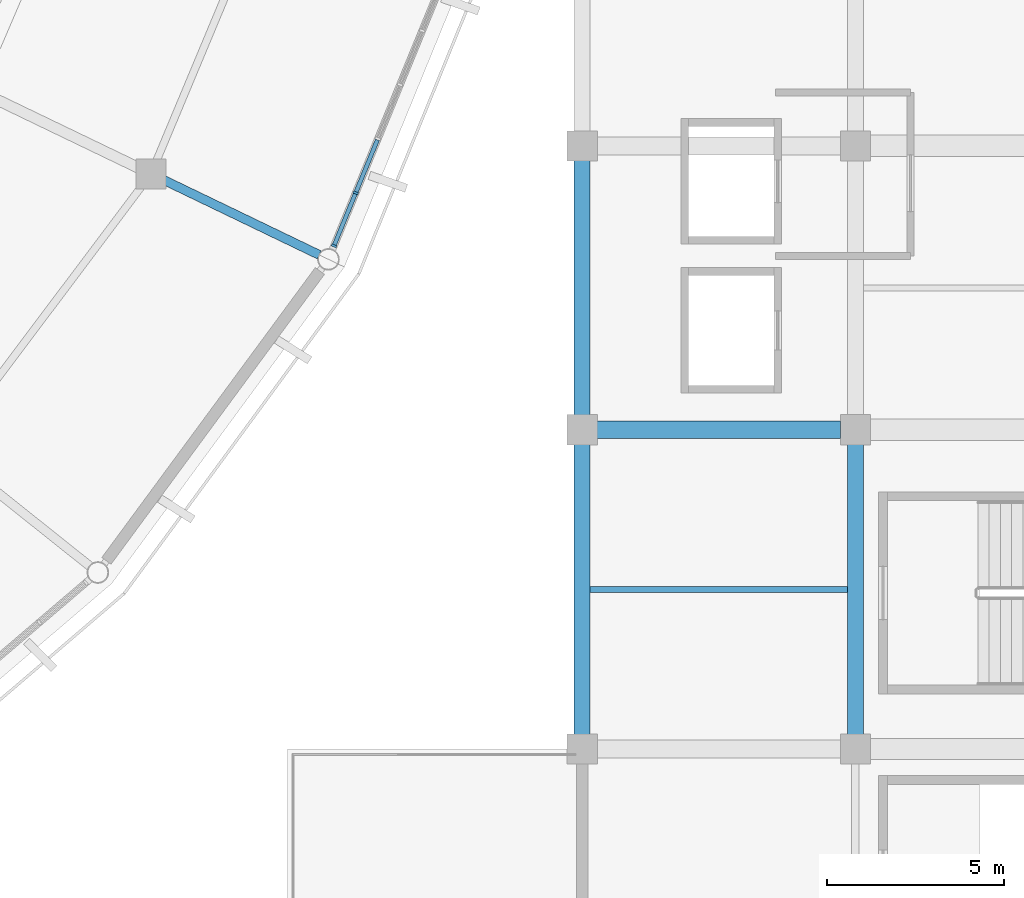
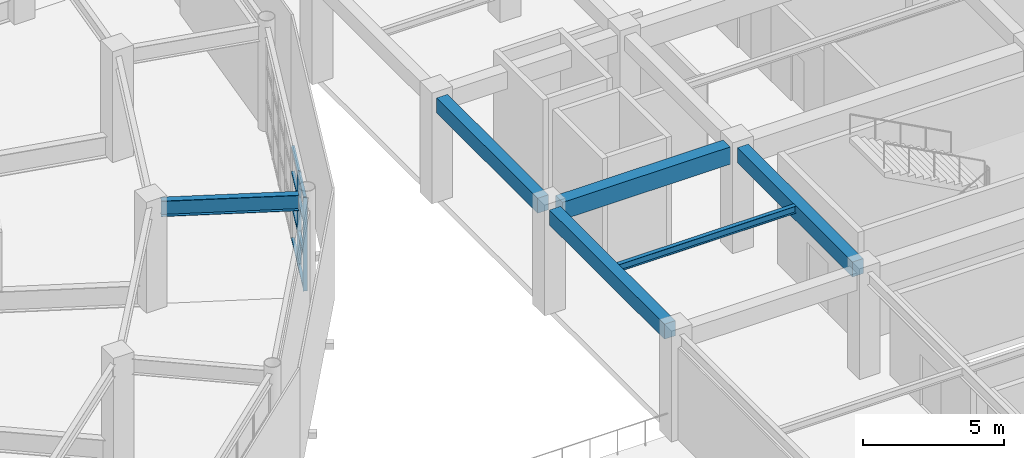
# One storey, part 64 of 122: 10 members, 6 beams, 1 element without a shape of its own.
"""IFC4 building model written with IfcOpenShell, lengths in metres."""

from ifc_helpers import new_model, si_unit, direction, frame, origin, origin_2d, place, context, subcontext, project, spatial, rectangle, i_section, extrude, material, material_profile, profile_set, type_object, element, aggregate, save


model = new_model("IFC4")

# Units and contexts
model_context = context("Model", 3, precision=1e-05, world=origin(), true_north=direction((0.0, 1.0)))
body_context = subcontext(model_context, "Body", "Model", "MODEL_VIEW")
ifc_project = project(units=[si_unit("LENGTHUNIT", "METRE"), si_unit("AREAUNIT", "SQUARE_METRE"), si_unit("VOLUMEUNIT", "CUBIC_METRE"), si_unit("PLANEANGLEUNIT", "RADIAN"), si_unit("MASSUNIT", "GRAM", prefix="KILO")], contexts=[model_context])

# Site, building, storey
site_placement = place(None, origin())
site = spatial("IfcSite", under=ifc_project, at=site_placement, CompositionType="ELEMENT")
building_placement = place(site_placement, origin())
building = spatial("IfcBuilding", under=site, at=building_placement, Name="Cuetzalor Civic Arena", CompositionType="ELEMENT")
storey_placement = place(building_placement, frame((0.0, 0.0, 16.199951171875)))
storey = spatial("IfcBuildingStorey", under=building, at=storey_placement, Name="L03", CompositionType="ELEMENT", Elevation=16.199951171875)

# Beams
ifc_material_1 = material(Name="Concrete C40/50", Category="concrete")
ifc_material_profile_1 = material_profile(ifc_material_1, rectangle(XDim=0.5, YDim=0.75, at=origin_2d()), Name="RC 500x750")
ifc_profile_set_1 = profile_set([ifc_material_profile_1], Name="Concrete C40/50")
beam_type_1 = type_object("IfcBeamType", Name="ConcreteFrameBeam_500x750", PredefinedType="BEAM", material=ifc_profile_set_1)
beam_1_placement = place(storey_placement, frame((56.715087890625, -25.0, 4.14501953125), z_axis=(1.0, 0.0, 0.0), x_axis=(0.0, 1.0, 0.0)))
element("IfcBeam", 1, at=beam_1_placement, inside=storey, type_object=beam_type_1, Name="Frame Girder V4E-L03-X0965", PredefinedType="BEAM", context=body_context, shape_type="SweptSolid", body=[
    extrude(rectangle(XDim=0.5, YDim=0.75, at=origin_2d()), origin(), (0.0, 0.0, 1.0), 6.869873046875),
])
ifc_material_2 = material(Name="Concrete C40/50", Category="concrete")
ifc_material_profile_2 = material_profile(ifc_material_2, rectangle(XDim=0.449951171875, YDim=0.64990234375, at=origin_2d()), Name="RC 450x650")
ifc_profile_set_2 = profile_set([ifc_material_profile_2], Name="Concrete C40/50")
beam_type_2 = type_object("IfcBeamType", Name="ConcreteTieBeam_450x650", PredefinedType="BEAM", material=ifc_profile_set_2)
beam_2_placement = place(storey_placement, frame((56.300048828125, -33.5849609375, 4.195068359375), z_axis=(0.0, 1.0, 0.0), x_axis=(-1.0, 0.0, 0.0)))
element("IfcBeam", 2, at=beam_2_placement, inside=storey, type_object=beam_type_2, Name="Frame Girder V4E-L03-Y0991", PredefinedType="BEAM", context=body_context, shape_type="SweptSolid", body=[
    extrude(rectangle(XDim=0.449951171875, YDim=0.64990234375, at=origin_2d()), origin(), (0.0, 0.0, 1.0), 8.169921875),
])
beam_3_placement = place(storey_placement, frame((56.300048828125, -24.5849609375, 4.195068359375), z_axis=(0.0, 1.0, 0.0), x_axis=(-1.0, 0.0, 0.0)))
element("IfcBeam", 3, at=beam_3_placement, inside=storey, type_object=beam_type_2, Name="Frame Girder V4E-L03-Y0992", PredefinedType="BEAM", context=body_context, shape_type="SweptSolid", body=[
    extrude(rectangle(XDim=0.449951171875, YDim=0.64990234375, at=origin_2d()), origin(), (0.0, 0.0, 1.0), 7.169921875),
])
beam_4_placement = place(storey_placement, frame((64.0, -33.5849609375, 4.195068359375), z_axis=(0.0, 1.0, 0.0), x_axis=(-1.0, 0.0, 0.0)))
element("IfcBeam", 4, at=beam_4_placement, inside=storey, type_object=beam_type_2, Name="Frame Girder V4E-L03-Y1001", PredefinedType="BEAM", context=body_context, shape_type="SweptSolid", body=[
    extrude(rectangle(XDim=0.449951171875, YDim=0.64990234375, at=origin_2d()), origin(), (0.0, 0.0, 1.0), 8.169921875),
])

# Curtain wall, members
ifc_material_3 = material(Name="Anodised dark bronze aluminium and low-E solar glass", Category="aluminium")
curtain_wall_type = type_object("IfcCurtainWallType", Name="UnitisedCW_9850x4050", PredefinedType="USERDEFINED", material=ifc_material_3)
curtain_wall_placement = place(storey_placement, origin())
curtain_wall = element("IfcCurtainWall", 5, at=curtain_wall_placement, inside=storey, type_object=curtain_wall_type, Name="Drum Triangle Foyer Curtain Wall L03-056", ObjectType="UNITISED CURTAIN WALL", PredefinedType="USERDEFINED")
ifc_material_4 = material(Name="Anodised dark bronze aluminium", Category="aluminium")
ifc_material_profile_3 = material_profile(ifc_material_4, rectangle(XDim=0.06494140625, YDim=0.14990234375, at=origin_2d()), Name="ALU MULLION 65x150")
ifc_profile_set_3 = profile_set([ifc_material_profile_3], Name="Anodised dark bronze aluminium")
member_type_1 = type_object("IfcMemberType", Name="CurtainWallMullion_60x150", PredefinedType="MULLION", material=ifc_profile_set_3)
member_1_placement = place(storey_placement, frame((49.916259765625, -18.3232421875, 0.0), z_axis=(0.0, 0.0, 1.0), x_axis=(-0.379391428583, -0.925236263836, 0.0)))
member_1 = element("IfcMember", 6, at=member_1_placement, type_object=member_type_1, Name="CW-17 mullion 6", PredefinedType="MULLION", context=body_context, shape_type="SweptSolid", body=[
    extrude(rectangle(XDim=0.06494140625, YDim=0.14990234375, at=origin_2d()), origin(), (0.0, 0.0, 1.0), 4.052978515625),
])
member_2_placement = place(storey_placement, frame((49.304443359375, -19.815673828125, 0.0), z_axis=(0.0, 0.0, 1.0), x_axis=(-0.379391428583, -0.925236263836, 0.0)))
member_2 = element("IfcMember", 7, at=member_2_placement, type_object=member_type_1, Name="CW-17 mullion 7", PredefinedType="MULLION", context=body_context, shape_type="SweptSolid", body=[
    extrude(rectangle(XDim=0.06494140625, YDim=0.14990234375, at=origin_2d()), origin(), (0.0, 0.0, 1.0), 4.052978515625),
])
ifc_material_5 = material(Name="Anodised dark bronze aluminium", Category="aluminium")
ifc_material_profile_4 = material_profile(ifc_material_5, rectangle(XDim=0.1201171875, YDim=0.06494140625, at=origin_2d()), Name="ALU TRANSOM 65x120")
ifc_profile_set_4 = profile_set([ifc_material_profile_4], Name="Anodised dark bronze aluminium")
member_type_2 = type_object("IfcMemberType", Name="CurtainWallTransom_60x120", PredefinedType="USERDEFINED", material=ifc_profile_set_4)
member_3_placement = place(storey_placement, frame((50.5283203125, -16.83056640625, 0.032470703125), z_axis=(-0.379366504724, -0.925246483427, 0.0), x_axis=(0.925246483427, -0.379366504724, 0.0)))
member_3 = element("IfcMember", 8, at=member_3_placement, type_object=member_type_2, Name="CW-17 transom 5.1", ObjectType="TRANSOM", PredefinedType="USERDEFINED", context=body_context, shape_type="SweptSolid", body=[
    extrude(rectangle(XDim=0.1201171875, YDim=0.06494140625, at=origin_2d()), origin(), (0.0, 0.0, 1.0), 1.58056640625),
])
member_4_placement = place(storey_placement, frame((50.5283203125, -16.83056640625, 1.458984375), z_axis=(-0.379366504724, -0.925246483427, 0.0), x_axis=(0.925246483427, -0.379366504724, 0.0)))
member_4 = element("IfcMember", 9, at=member_4_placement, type_object=member_type_2, Name="CW-17 transom 5.2", ObjectType="TRANSOM", PredefinedType="USERDEFINED", context=body_context, shape_type="SweptSolid", body=[
    extrude(rectangle(XDim=0.1201171875, YDim=0.06494140625, at=origin_2d()), origin(), (0.0, 0.0, 1.0), 1.58056640625),
])
member_5_placement = place(storey_placement, frame((50.5283203125, -16.83056640625, 2.91796875), z_axis=(-0.379366504724, -0.925246483427, 0.0), x_axis=(0.925246483427, -0.379366504724, 0.0)))
member_5 = element("IfcMember", 10, at=member_5_placement, type_object=member_type_2, Name="CW-17 transom 5.3", ObjectType="TRANSOM", PredefinedType="USERDEFINED", context=body_context, shape_type="SweptSolid", body=[
    extrude(rectangle(XDim=0.1201171875, YDim=0.06494140625, at=origin_2d()), origin(), (0.0, 0.0, 1.0), 1.58056640625),
])
member_6_placement = place(storey_placement, frame((50.5283203125, -16.83056640625, 4.0205078125), z_axis=(-0.379366504724, -0.925246483427, 0.0), x_axis=(0.925246483427, -0.379366504724, 0.0)))
member_6 = element("IfcMember", 11, at=member_6_placement, type_object=member_type_2, Name="CW-17 transom 5.4", ObjectType="TRANSOM", PredefinedType="USERDEFINED", context=body_context, shape_type="SweptSolid", body=[
    extrude(rectangle(XDim=0.1201171875, YDim=0.06494140625, at=origin_2d()), origin(), (0.0, 0.0, 1.0), 1.58056640625),
])
member_7_placement = place(storey_placement, frame((49.904052734375, -18.353271484375, 0.032470703125), z_axis=(-0.379424832692, -0.925222565838, 0.0), x_axis=(0.925222565838, -0.379424832692, 0.0)))
member_7 = element("IfcMember", 12, at=member_7_placement, type_object=member_type_2, Name="CW-17 transom 6.1", ObjectType="TRANSOM", PredefinedType="USERDEFINED", context=body_context, shape_type="SweptSolid", body=[
    extrude(rectangle(XDim=0.1201171875, YDim=0.06494140625, at=origin_2d()), origin(), (0.0, 0.0, 1.0), 1.548095703125),
])
member_8_placement = place(storey_placement, frame((49.904052734375, -18.353271484375, 1.458984375), z_axis=(-0.379424832692, -0.925222565838, 0.0), x_axis=(0.925222565838, -0.379424832692, 0.0)))
member_8 = element("IfcMember", 13, at=member_8_placement, type_object=member_type_2, Name="CW-17 transom 6.2", ObjectType="TRANSOM", PredefinedType="USERDEFINED", context=body_context, shape_type="SweptSolid", body=[
    extrude(rectangle(XDim=0.1201171875, YDim=0.06494140625, at=origin_2d()), origin(), (0.0, 0.0, 1.0), 1.548095703125),
])
member_9_placement = place(storey_placement, frame((49.904052734375, -18.353271484375, 2.91796875), z_axis=(-0.379424832692, -0.925222565838, 0.0), x_axis=(0.925222565838, -0.379424832692, 0.0)))
member_9 = element("IfcMember", 14, at=member_9_placement, type_object=member_type_2, Name="CW-17 transom 6.3", ObjectType="TRANSOM", PredefinedType="USERDEFINED", context=body_context, shape_type="SweptSolid", body=[
    extrude(rectangle(XDim=0.1201171875, YDim=0.06494140625, at=origin_2d()), origin(), (0.0, 0.0, 1.0), 1.548095703125),
])
member_10_placement = place(storey_placement, frame((49.904052734375, -18.353271484375, 4.0205078125), z_axis=(-0.379424832692, -0.925222565838, 0.0), x_axis=(0.925222565838, -0.379424832692, 0.0)))
member_10 = element("IfcMember", 15, at=member_10_placement, type_object=member_type_2, Name="CW-17 transom 6.4", ObjectType="TRANSOM", PredefinedType="USERDEFINED", context=body_context, shape_type="SweptSolid", body=[
    extrude(rectangle(XDim=0.1201171875, YDim=0.06494140625, at=origin_2d()), origin(), (0.0, 0.0, 1.0), 1.548095703125),
])
aggregate(curtain_wall, [member_1, member_2, member_3, member_4, member_5, member_6, member_7, member_8, member_9, member_10])

# Beams
ifc_material_6 = material(Name="Steel S355", Category="steel")
ifc_material_profile_5 = material_profile(ifc_material_6, i_section(OverallWidth=0.166015625, OverallDepth=0.31298828125, WebThickness=0.006591796875, FlangeThickness=0.01123046875, at=origin_2d()), Name="W310x45")
ifc_profile_set_5 = profile_set([ifc_material_profile_5], Name="Steel S355")
beam_type_3 = type_object("IfcBeamType", Name="SecondaryRoofJoist_W310", PredefinedType="JOIST", material=ifc_profile_set_5)
beam_5_placement = place(storey_placement, frame((56.51708984375, -29.5, 4.363525390625), z_axis=(1.0, 0.0, 0.0), x_axis=(0.0, 1.0, 0.0)))
element("IfcBeam", 16, at=beam_5_placement, inside=storey, type_object=beam_type_3, Name="Secondary Floor Joist V4E-L03-0295", PredefinedType="JOIST", context=body_context, shape_type="SweptSolid", body=[
    extrude(i_section(OverallWidth=0.166015625, OverallDepth=0.31298828125, WebThickness=0.006591796875, FlangeThickness=0.01123046875, at=origin_2d()), origin(), (0.0, 0.0, 1.0), 7.265869140625),
])
ifc_material_7 = material(Name="Steel S355", Category="steel")
ifc_material_profile_6 = material_profile(ifc_material_7, i_section(OverallWidth=0.2529296875, OverallDepth=0.677978515625, WebThickness=0.01171875, FlangeThickness=0.016357421875, at=origin_2d()), Name="W690x125")
ifc_profile_set_6 = profile_set([ifc_material_profile_6], Name="Steel S355")
beam_type_4 = type_object("IfcBeamType", Name="SteelPrimaryGirder_W690", PredefinedType="BEAM", material=ifc_profile_set_6)
beam_6_placement = place(storey_placement, frame((44.4716796875, -17.9453125, 4.18115234375), z_axis=(0.900964883231, -0.433892013275, 0.0), x_axis=(0.433892013275, 0.900964883231, 0.0)))
element("IfcBeam", 17, at=beam_6_placement, inside=storey, type_object=beam_type_4, Name="Drum Radial Girder L03-R27", PredefinedType="BEAM", context=body_context, shape_type="SweptSolid", body=[
    extrude(i_section(OverallWidth=0.2529296875, OverallDepth=0.677978515625, WebThickness=0.01171875, FlangeThickness=0.016357421875, at=origin_2d()), origin(), (0.0, 0.0, 1.0), 4.900390625),
])

save(model, "model.ifc")
